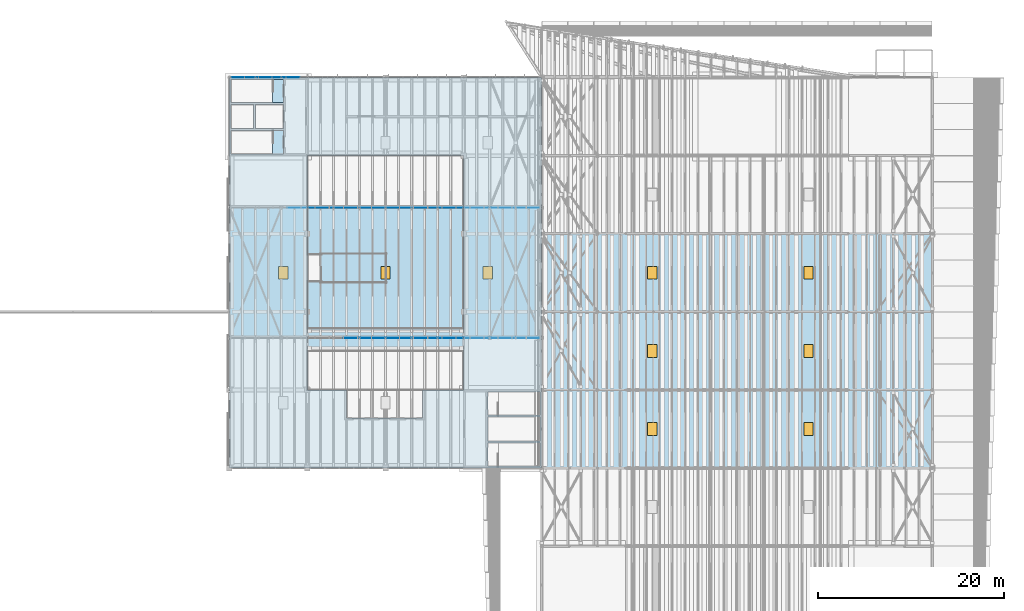
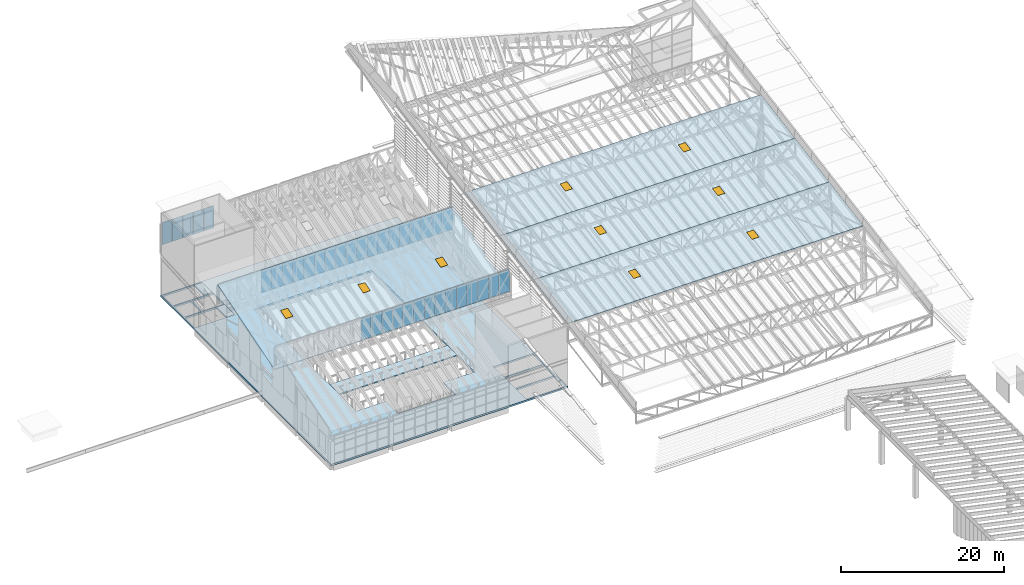
# One storey, part 60 of 91: 37 plates, 9 windows, 8 slabs, 9 openings, 3 elements without a shape of their own.
"""IFC4 building model written with IfcOpenShell, lengths in metres."""

from ifc_helpers import new_model, si_unit, direction, frame, origin, origin_2d, place, context, subcontext, project, spatial, polyline, rectangle, outline, extrude, material, layer, layer_set, type_object, element, fill, aggregate, save


model = new_model("IFC4")

# Units and contexts
model_context = context("Model", 3, precision=1e-05, world=origin(), true_north=direction((0.0, 1.0)))
body_context = subcontext(model_context, "Body", "Model", "MODEL_VIEW")
ifc_project = project(units=[si_unit("LENGTHUNIT", "METRE"), si_unit("AREAUNIT", "SQUARE_METRE"), si_unit("VOLUMEUNIT", "CUBIC_METRE"), si_unit("PLANEANGLEUNIT", "RADIAN"), si_unit("MASSUNIT", "GRAM", prefix="KILO")], contexts=[model_context])

# Site, building, storey
site_placement = place(None, origin())
site = spatial("IfcSite", under=ifc_project, at=site_placement, CompositionType="ELEMENT")
building_placement = place(site_placement, origin())
building = spatial("IfcBuilding", under=site, at=building_placement, Name="Almond Square Museum", CompositionType="ELEMENT")
storey_placement = place(building_placement, frame((0.0, 0.0, 30.0)))
storey = spatial("IfcBuildingStorey", under=building, at=storey_placement, Name="L05", CompositionType="ELEMENT", Elevation=30.0)

# Slabs
ifc_material_1 = material(Name="Concrete C35/45", Category="concrete")
ifc_layer_1 = layer(ifc_material_1, 0.14990234375)
ifc_layer_set_1 = layer_set([ifc_layer_1], Name="Concrete C35/45")
slab_type_1 = type_object("IfcSlabType", Name="Bridge deck slab 150", PredefinedType="FLOOR", material=ifc_layer_set_1)
slab_1_placement = place(storey_placement, frame((0.0, 0.0, -0.14990234375)))
element("IfcSlab", 1, at=slab_1_placement, inside=storey, type_object=slab_type_1, Name="Bridge 7 deck", PredefinedType="FLOOR", context=body_context, shape_type="SweptSolid", body=[
    extrude(outline(polyline([(81.60009765625, 79.800048828125), (98.39990234375, 79.800048828125), (98.39990234375, 82.199951171875), (81.60009765625, 82.199951171875), (81.60009765625, 79.800048828125)])), origin(), (0.0, 0.0, 1.0), 0.14990234375),
])
ifc_material_2 = material(Name="Concrete C40/50", Category="concrete")
ifc_layer_2 = layer(ifc_material_2, 0.199951171875)
ifc_layer_set_2 = layer_set([ifc_layer_2], Name="Concrete C40/50")
slab_type_2 = type_object("IfcSlabType", Name="Concrete stair landing 200", PredefinedType="LANDING", material=ifc_layer_set_2)
slab_2_placement = place(storey_placement, frame((0.0, 0.0, -0.199951171875)))
element("IfcSlab", 2, at=slab_2_placement, inside=storey, type_object=slab_type_2, Name="L05 stair A1-1 floor landing", PredefinedType="LANDING", context=body_context, shape_type="SweptSolid", body=[
    extrude(outline(polyline([(77.846923828125, 101.0), (79.0, 101.0), (79.0, 103.5), (77.846923828125, 103.5), (77.846923828125, 101.0)])), origin(), (0.0, 0.0, 1.0), 0.199951171875),
])
slab_3_placement = place(storey_placement, frame((0.0, 0.0, -0.199951171875)))
element("IfcSlab", 3, at=slab_3_placement, inside=storey, type_object=slab_type_2, Name="L05 stair A1-2 floor landing", PredefinedType="LANDING", context=body_context, shape_type="SweptSolid", body=[
    extrude(outline(polyline([(77.846923828125, 106.5), (79.0, 106.5), (79.0, 109.0), (77.846923828125, 109.0), (77.846923828125, 106.5)])), origin(), (0.0, 0.0, 1.0), 0.199951171875),
])

# Slab, openings, windows
ifc_material_3 = material(Name="Insulated aluminium roof deck", Category="aluminium")
ifc_layer_3 = layer(ifc_material_3, 0.10009765625)
ifc_layer_set_3 = layer_set([ifc_layer_3], Name="Insulated aluminium roof deck")
slab_type_3 = type_object("IfcSlabType", Name="Insulated metal deck roof 100", PredefinedType="ROOF", material=ifc_layer_set_3)
slab_4_placement = place(storey_placement, frame((73.199951171875, 81.199951171875, 5.800048828125), z_axis=(0.0, -0.292374446903, 0.95630391759), x_axis=(1.0, 0.0, 0.0)))
slab_4 = element("IfcSlab", 4, at=slab_4_placement, inside=storey, type_object=slab_type_3, Name="Roof covering AR2", PredefinedType="ROOF", context=body_context, shape_type="SweptSolid", body=[
    extrude(outline(polyline([(0.0, 0.0), (33.60009765625, 0.0), (33.60009765625, 14.639697425144005), (0.0, 14.639697425144005), (0.0, 0.0)])), origin(), (0.0, 0.0, -1.0), 0.10009765625),
])
opening_1_placement = place(slab_4_placement, frame((5.800048828125, 7.31982421875, 0.010009765625), z_axis=(0.0, 0.0, -1.0), x_axis=(1.0, 0.0, 0.0)))
opening_1 = element("IfcOpeningElement", 5, at=opening_1_placement, cuts=slab_4, Name="Opening RL13", PredefinedType="OPENING", context=body_context, shape_type="SweptSolid", body=[
    extrude(rectangle(XDim=1.0, YDim=1.39990234375, at=origin_2d()), origin(), (0.0, 0.0, 1.0), 0.1201171875),
])
opening_2_placement = place(slab_4_placement, frame((16.800048828125, 7.31982421875, 0.010009765625), z_axis=(0.0, 0.0, -1.0), x_axis=(1.0, 0.0, 0.0)))
opening_2 = element("IfcOpeningElement", 6, at=opening_2_placement, cuts=slab_4, Name="Opening RL14", PredefinedType="OPENING", context=body_context, shape_type="SweptSolid", body=[
    extrude(rectangle(XDim=1.0, YDim=1.39990234375, at=origin_2d()), origin(), (0.0, 0.0, 1.0), 0.1201171875),
])
opening_3_placement = place(slab_4_placement, frame((27.800048828125, 7.31982421875, 0.010009765625), z_axis=(0.0, 0.0, -1.0), x_axis=(1.0, 0.0, 0.0)))
opening_3 = element("IfcOpeningElement", 7, at=opening_3_placement, cuts=slab_4, Name="Opening RL15", PredefinedType="OPENING", context=body_context, shape_type="SweptSolid", body=[
    extrude(rectangle(XDim=1.0, YDim=1.39990234375, at=origin_2d()), origin(), (0.0, 0.0, 1.0), 0.1201171875),
])
ifc_material_4 = material(Name="Aluminium frame and laminated glass", Category="aluminium")
window_type = type_object("IfcWindowType", Name="Rooflight 1000 x 1400", PartitioningType="SINGLE_PANEL", PredefinedType="SKYLIGHT", material=ifc_material_4)
window_1_placement = place(opening_1_placement, frame((0.0, 0.0, 0.010009765625)))
window_1 = element("IfcWindow", 8, at=window_1_placement, inside=storey, type_object=window_type, Name="Rooflight", OverallHeight=1.39990234375, OverallWidth=1.0, PartitioningType="SINGLE_PANEL", PredefinedType="SKYLIGHT", context=body_context, shape_type="SweptSolid", body=[
    extrude(rectangle(XDim=1.0, YDim=1.39990234375, at=origin_2d()), origin(), (0.0, 0.0, 1.0), 0.050048828125),
])
fill(opening_1, window_1)
window_2_placement = place(opening_2_placement, frame((0.0, 0.0, 0.010009765625)))
window_2 = element("IfcWindow", 9, at=window_2_placement, inside=storey, type_object=window_type, Name="Rooflight", OverallHeight=1.39990234375, OverallWidth=1.0, PartitioningType="SINGLE_PANEL", PredefinedType="SKYLIGHT", context=body_context, shape_type="SweptSolid", body=[
    extrude(rectangle(XDim=1.0, YDim=1.39990234375, at=origin_2d()), origin(), (0.0, 0.0, 1.0), 0.050048828125),
])
fill(opening_2, window_2)
window_3_placement = place(opening_3_placement, frame((0.0, 0.0, 0.010009765625)))
window_3 = element("IfcWindow", 10, at=window_3_placement, inside=storey, type_object=window_type, Name="Rooflight", OverallHeight=1.39990234375, OverallWidth=1.0, PartitioningType="SINGLE_PANEL", PredefinedType="SKYLIGHT", context=body_context, shape_type="SweptSolid", body=[
    extrude(rectangle(XDim=1.0, YDim=1.39990234375, at=origin_2d()), origin(), (0.0, 0.0, 1.0), 0.050048828125),
])
fill(opening_3, window_3)

# Curtain wall, plates
ifc_material_5 = material(Name="Aluminium and laminated glass", Category="aluminium")
curtain_wall_type = type_object("IfcCurtainWallType", Name="Unitised curtain wall 1500 module", PredefinedType="NOTDEFINED", material=ifc_material_5)
curtain_wall_1_placement = place(storey_placement, origin())
curtain_wall_1 = element("IfcCurtainWall", 11, at=curtain_wall_1_placement, inside=storey, type_object=curtain_wall_type, Name="Rooflight glazing AG1", PredefinedType="NOTDEFINED")
ifc_material_6 = material(Name="Laminated hurricane-rated glass", Category="glass")
ifc_layer_4 = layer(ifc_material_6, 0.035888671875)
ifc_layer_set_4 = layer_set([ifc_layer_4], Name="Laminated hurricane-rated glass")
plate_type = type_object("IfcPlateType", Name="Laminated glass panel 36", PredefinedType="CURTAIN_PANEL", material=ifc_layer_set_4)
plate_1_placement = place(storey_placement, frame((86.2158203125, 81.199951171875, 5.85986328125), z_axis=(0.0, 0.0, 1.0), x_axis=(1.0, 0.0, 0.0)))
plate_1 = element("IfcPlate", 12, at=plate_1_placement, type_object=plate_type, Name="CW-56 panel 9.1", PredefinedType="CURTAIN_PANEL", context=body_context, shape_type="SweptSolid", body=[
    extrude(rectangle(XDim=1.45361328125, YDim=0.035888671875, at=origin_2d()), origin(), (0.0, 0.0, 1.0), 3.3603515625),
])
plate_2_placement = place(storey_placement, frame((87.7294921875, 81.199951171875, 5.85986328125), z_axis=(0.0, 0.0, 1.0), x_axis=(1.0, 0.0, 0.0)))
plate_2 = element("IfcPlate", 13, at=plate_2_placement, type_object=plate_type, Name="CW-56 panel 10.1", PredefinedType="CURTAIN_PANEL", context=body_context, shape_type="SweptSolid", body=[
    extrude(rectangle(XDim=1.45361328125, YDim=0.035888671875, at=origin_2d()), origin(), (0.0, 0.0, 1.0), 3.3603515625),
])
plate_3_placement = place(storey_placement, frame((89.2431640625, 81.199951171875, 5.85986328125), z_axis=(0.0, 0.0, 1.0), x_axis=(1.0, 0.0, 0.0)))
plate_3 = element("IfcPlate", 14, at=plate_3_placement, type_object=plate_type, Name="CW-56 panel 11.1", PredefinedType="CURTAIN_PANEL", context=body_context, shape_type="SweptSolid", body=[
    extrude(rectangle(XDim=1.45361328125, YDim=0.035888671875, at=origin_2d()), origin(), (0.0, 0.0, 1.0), 3.3603515625),
])
plate_4_placement = place(storey_placement, frame((90.7568359375, 81.199951171875, 5.85986328125), z_axis=(0.0, 0.0, 1.0), x_axis=(1.0, 0.0, 0.0)))
plate_4 = element("IfcPlate", 15, at=plate_4_placement, type_object=plate_type, Name="CW-56 panel 12.1", PredefinedType="CURTAIN_PANEL", context=body_context, shape_type="SweptSolid", body=[
    extrude(rectangle(XDim=1.45361328125, YDim=0.035888671875, at=origin_2d()), origin(), (0.0, 0.0, 1.0), 3.3603515625),
])
plate_5_placement = place(storey_placement, frame((92.2705078125, 81.199951171875, 5.85986328125), z_axis=(0.0, 0.0, 1.0), x_axis=(1.0, 0.0, 0.0)))
plate_5 = element("IfcPlate", 16, at=plate_5_placement, type_object=plate_type, Name="CW-56 panel 13.1", PredefinedType="CURTAIN_PANEL", context=body_context, shape_type="SweptSolid", body=[
    extrude(rectangle(XDim=1.45361328125, YDim=0.035888671875, at=origin_2d()), origin(), (0.0, 0.0, 1.0), 3.3603515625),
])
plate_6_placement = place(storey_placement, frame((93.7841796875, 81.199951171875, 5.85986328125), z_axis=(0.0, 0.0, 1.0), x_axis=(1.0, 0.0, 0.0)))
plate_6 = element("IfcPlate", 17, at=plate_6_placement, type_object=plate_type, Name="CW-56 panel 14.1", PredefinedType="CURTAIN_PANEL", context=body_context, shape_type="SweptSolid", body=[
    extrude(rectangle(XDim=1.45361328125, YDim=0.035888671875, at=origin_2d()), origin(), (0.0, 0.0, 1.0), 3.3603515625),
])
plate_7_placement = place(storey_placement, frame((95.297607421875, 81.199951171875, 5.85986328125), z_axis=(0.0, 0.0, 1.0), x_axis=(1.0, 0.0, 0.0)))
plate_7 = element("IfcPlate", 18, at=plate_7_placement, type_object=plate_type, Name="CW-56 panel 15.1", PredefinedType="CURTAIN_PANEL", context=body_context, shape_type="SweptSolid", body=[
    extrude(rectangle(XDim=1.45361328125, YDim=0.035888671875, at=origin_2d()), origin(), (0.0, 0.0, 1.0), 3.3603515625),
])
plate_8_placement = place(storey_placement, frame((96.811279296875, 81.199951171875, 5.85986328125), z_axis=(0.0, 0.0, 1.0), x_axis=(1.0, 0.0, 0.0)))
plate_8 = element("IfcPlate", 19, at=plate_8_placement, type_object=plate_type, Name="CW-56 panel 16.1", PredefinedType="CURTAIN_PANEL", context=body_context, shape_type="SweptSolid", body=[
    extrude(rectangle(XDim=1.45361328125, YDim=0.035888671875, at=origin_2d()), origin(), (0.0, 0.0, 1.0), 3.3603515625),
])
plate_9_placement = place(storey_placement, frame((98.324951171875, 81.199951171875, 5.85986328125), z_axis=(0.0, 0.0, 1.0), x_axis=(1.0, 0.0, 0.0)))
plate_9 = element("IfcPlate", 20, at=plate_9_placement, type_object=plate_type, Name="CW-56 panel 17.1", PredefinedType="CURTAIN_PANEL", context=body_context, shape_type="SweptSolid", body=[
    extrude(rectangle(XDim=1.45361328125, YDim=0.035888671875, at=origin_2d()), origin(), (0.0, 0.0, 1.0), 3.3603515625),
])
plate_10_placement = place(storey_placement, frame((99.838623046875, 81.199951171875, 5.85986328125), z_axis=(0.0, 0.0, 1.0), x_axis=(1.0, 0.0, 0.0)))
plate_10 = element("IfcPlate", 21, at=plate_10_placement, type_object=plate_type, Name="CW-56 panel 18.1", PredefinedType="CURTAIN_PANEL", context=body_context, shape_type="SweptSolid", body=[
    extrude(rectangle(XDim=1.45361328125, YDim=0.035888671875, at=origin_2d()), origin(), (0.0, 0.0, 1.0), 3.3603515625),
])
plate_11_placement = place(storey_placement, frame((101.352294921875, 81.199951171875, 5.85986328125), z_axis=(0.0, 0.0, 1.0), x_axis=(1.0, 0.0, 0.0)))
plate_11 = element("IfcPlate", 22, at=plate_11_placement, type_object=plate_type, Name="CW-56 panel 19.1", PredefinedType="CURTAIN_PANEL", context=body_context, shape_type="SweptSolid", body=[
    extrude(rectangle(XDim=1.45361328125, YDim=0.035888671875, at=origin_2d()), origin(), (0.0, 0.0, 1.0), 3.3603515625),
])
plate_12_placement = place(storey_placement, frame((102.865966796875, 81.199951171875, 5.85986328125), z_axis=(0.0, 0.0, 1.0), x_axis=(1.0, 0.0, 0.0)))
plate_12 = element("IfcPlate", 23, at=plate_12_placement, type_object=plate_type, Name="CW-56 panel 20.1", PredefinedType="CURTAIN_PANEL", context=body_context, shape_type="SweptSolid", body=[
    extrude(rectangle(XDim=1.45361328125, YDim=0.035888671875, at=origin_2d()), origin(), (0.0, 0.0, 1.0), 3.3603515625),
])
plate_13_placement = place(storey_placement, frame((104.379638671875, 81.199951171875, 5.85986328125), z_axis=(0.0, 0.0, 1.0), x_axis=(1.0, 0.0, 0.0)))
plate_13 = element("IfcPlate", 24, at=plate_13_placement, type_object=plate_type, Name="CW-56 panel 21.1", PredefinedType="CURTAIN_PANEL", context=body_context, shape_type="SweptSolid", body=[
    extrude(rectangle(XDim=1.45361328125, YDim=0.035888671875, at=origin_2d()), origin(), (0.0, 0.0, 1.0), 3.3603515625),
])
plate_14_placement = place(storey_placement, frame((105.878173828125, 81.199951171875, 5.85986328125), z_axis=(0.0, 0.0, 1.0), x_axis=(1.0, 0.0, 0.0)))
plate_14 = element("IfcPlate", 25, at=plate_14_placement, type_object=plate_type, Name="CW-56 panel 22.1", PredefinedType="CURTAIN_PANEL", context=body_context, shape_type="SweptSolid", body=[
    extrude(rectangle(XDim=1.423583984375, YDim=0.035888671875, at=origin_2d()), origin(), (0.0, 0.0, 1.0), 3.3603515625),
])
aggregate(curtain_wall_1, [plate_1, plate_2, plate_3, plate_4, plate_5, plate_6, plate_7, plate_8, plate_9, plate_10, plate_11, plate_12, plate_13, plate_14])

curtain_wall_2_placement = place(storey_placement, origin())
curtain_wall_2 = element("IfcCurtainWall", 26, at=curtain_wall_2_placement, inside=storey, type_object=curtain_wall_type, Name="Rooflight glazing AG2", PredefinedType="NOTDEFINED")
plate_15_placement = place(storey_placement, frame((80.161376953125, 95.199951171875, 6.659912109375), z_axis=(0.0, 0.0, 1.0), x_axis=(1.0, 0.0, 0.0)))
plate_15 = element("IfcPlate", 27, at=plate_15_placement, type_object=plate_type, Name="CW-57 panel 5.1", PredefinedType="CURTAIN_PANEL", context=body_context, shape_type="SweptSolid", body=[
    extrude(rectangle(XDim=1.45361328125, YDim=0.035888671875, at=origin_2d()), origin(), (0.0, 0.0, 1.0), 3.3603515625),
])
plate_16_placement = place(storey_placement, frame((81.675048828125, 95.199951171875, 6.659912109375), z_axis=(0.0, 0.0, 1.0), x_axis=(1.0, 0.0, 0.0)))
plate_16 = element("IfcPlate", 28, at=plate_16_placement, type_object=plate_type, Name="CW-57 panel 6.1", PredefinedType="CURTAIN_PANEL", context=body_context, shape_type="SweptSolid", body=[
    extrude(rectangle(XDim=1.45361328125, YDim=0.035888671875, at=origin_2d()), origin(), (0.0, 0.0, 1.0), 3.3603515625),
])
plate_17_placement = place(storey_placement, frame((83.188720703125, 95.199951171875, 6.659912109375), z_axis=(0.0, 0.0, 1.0), x_axis=(1.0, 0.0, 0.0)))
plate_17 = element("IfcPlate", 29, at=plate_17_placement, type_object=plate_type, Name="CW-57 panel 7.1", PredefinedType="CURTAIN_PANEL", context=body_context, shape_type="SweptSolid", body=[
    extrude(rectangle(XDim=1.45361328125, YDim=0.035888671875, at=origin_2d()), origin(), (0.0, 0.0, 1.0), 3.3603515625),
])
plate_18_placement = place(storey_placement, frame((84.702392578125, 95.199951171875, 6.659912109375), z_axis=(0.0, 0.0, 1.0), x_axis=(1.0, 0.0, 0.0)))
plate_18 = element("IfcPlate", 30, at=plate_18_placement, type_object=plate_type, Name="CW-57 panel 8.1", PredefinedType="CURTAIN_PANEL", context=body_context, shape_type="SweptSolid", body=[
    extrude(rectangle(XDim=1.45361328125, YDim=0.035888671875, at=origin_2d()), origin(), (0.0, 0.0, 1.0), 3.3603515625),
])
plate_19_placement = place(storey_placement, frame((86.2158203125, 95.199951171875, 6.659912109375), z_axis=(0.0, 0.0, 1.0), x_axis=(1.0, 0.0, 0.0)))
plate_19 = element("IfcPlate", 31, at=plate_19_placement, type_object=plate_type, Name="CW-57 panel 9.1", PredefinedType="CURTAIN_PANEL", context=body_context, shape_type="SweptSolid", body=[
    extrude(rectangle(XDim=1.45361328125, YDim=0.035888671875, at=origin_2d()), origin(), (0.0, 0.0, 1.0), 3.3603515625),
])
plate_20_placement = place(storey_placement, frame((87.7294921875, 95.199951171875, 6.659912109375), z_axis=(0.0, 0.0, 1.0), x_axis=(1.0, 0.0, 0.0)))
plate_20 = element("IfcPlate", 32, at=plate_20_placement, type_object=plate_type, Name="CW-57 panel 10.1", PredefinedType="CURTAIN_PANEL", context=body_context, shape_type="SweptSolid", body=[
    extrude(rectangle(XDim=1.45361328125, YDim=0.035888671875, at=origin_2d()), origin(), (0.0, 0.0, 1.0), 3.3603515625),
])
plate_21_placement = place(storey_placement, frame((89.2431640625, 95.199951171875, 6.659912109375), z_axis=(0.0, 0.0, 1.0), x_axis=(1.0, 0.0, 0.0)))
plate_21 = element("IfcPlate", 33, at=plate_21_placement, type_object=plate_type, Name="CW-57 panel 11.1", PredefinedType="CURTAIN_PANEL", context=body_context, shape_type="SweptSolid", body=[
    extrude(rectangle(XDim=1.45361328125, YDim=0.035888671875, at=origin_2d()), origin(), (0.0, 0.0, 1.0), 3.3603515625),
])
plate_22_placement = place(storey_placement, frame((90.7568359375, 95.199951171875, 6.659912109375), z_axis=(0.0, 0.0, 1.0), x_axis=(1.0, 0.0, 0.0)))
plate_22 = element("IfcPlate", 34, at=plate_22_placement, type_object=plate_type, Name="CW-57 panel 12.1", PredefinedType="CURTAIN_PANEL", context=body_context, shape_type="SweptSolid", body=[
    extrude(rectangle(XDim=1.45361328125, YDim=0.035888671875, at=origin_2d()), origin(), (0.0, 0.0, 1.0), 3.3603515625),
])
plate_23_placement = place(storey_placement, frame((92.2705078125, 95.199951171875, 6.659912109375), z_axis=(0.0, 0.0, 1.0), x_axis=(1.0, 0.0, 0.0)))
plate_23 = element("IfcPlate", 35, at=plate_23_placement, type_object=plate_type, Name="CW-57 panel 13.1", PredefinedType="CURTAIN_PANEL", context=body_context, shape_type="SweptSolid", body=[
    extrude(rectangle(XDim=1.45361328125, YDim=0.035888671875, at=origin_2d()), origin(), (0.0, 0.0, 1.0), 3.3603515625),
])
plate_24_placement = place(storey_placement, frame((93.7841796875, 95.199951171875, 6.659912109375), z_axis=(0.0, 0.0, 1.0), x_axis=(1.0, 0.0, 0.0)))
plate_24 = element("IfcPlate", 36, at=plate_24_placement, type_object=plate_type, Name="CW-57 panel 14.1", PredefinedType="CURTAIN_PANEL", context=body_context, shape_type="SweptSolid", body=[
    extrude(rectangle(XDim=1.45361328125, YDim=0.035888671875, at=origin_2d()), origin(), (0.0, 0.0, 1.0), 3.3603515625),
])
plate_25_placement = place(storey_placement, frame((95.297607421875, 95.199951171875, 6.659912109375), z_axis=(0.0, 0.0, 1.0), x_axis=(1.0, 0.0, 0.0)))
plate_25 = element("IfcPlate", 37, at=plate_25_placement, type_object=plate_type, Name="CW-57 panel 15.1", PredefinedType="CURTAIN_PANEL", context=body_context, shape_type="SweptSolid", body=[
    extrude(rectangle(XDim=1.45361328125, YDim=0.035888671875, at=origin_2d()), origin(), (0.0, 0.0, 1.0), 3.3603515625),
])
plate_26_placement = place(storey_placement, frame((96.811279296875, 95.199951171875, 6.659912109375), z_axis=(0.0, 0.0, 1.0), x_axis=(1.0, 0.0, 0.0)))
plate_26 = element("IfcPlate", 38, at=plate_26_placement, type_object=plate_type, Name="CW-57 panel 16.1", PredefinedType="CURTAIN_PANEL", context=body_context, shape_type="SweptSolid", body=[
    extrude(rectangle(XDim=1.45361328125, YDim=0.035888671875, at=origin_2d()), origin(), (0.0, 0.0, 1.0), 3.3603515625),
])
plate_27_placement = place(storey_placement, frame((98.324951171875, 95.199951171875, 6.659912109375), z_axis=(0.0, 0.0, 1.0), x_axis=(1.0, 0.0, 0.0)))
plate_27 = element("IfcPlate", 39, at=plate_27_placement, type_object=plate_type, Name="CW-57 panel 17.1", PredefinedType="CURTAIN_PANEL", context=body_context, shape_type="SweptSolid", body=[
    extrude(rectangle(XDim=1.45361328125, YDim=0.035888671875, at=origin_2d()), origin(), (0.0, 0.0, 1.0), 3.3603515625),
])
plate_28_placement = place(storey_placement, frame((99.838623046875, 95.199951171875, 6.659912109375), z_axis=(0.0, 0.0, 1.0), x_axis=(1.0, 0.0, 0.0)))
plate_28 = element("IfcPlate", 40, at=plate_28_placement, type_object=plate_type, Name="CW-57 panel 18.1", PredefinedType="CURTAIN_PANEL", context=body_context, shape_type="SweptSolid", body=[
    extrude(rectangle(XDim=1.45361328125, YDim=0.035888671875, at=origin_2d()), origin(), (0.0, 0.0, 1.0), 3.3603515625),
])
plate_29_placement = place(storey_placement, frame((101.352294921875, 95.199951171875, 6.659912109375), z_axis=(0.0, 0.0, 1.0), x_axis=(1.0, 0.0, 0.0)))
plate_29 = element("IfcPlate", 41, at=plate_29_placement, type_object=plate_type, Name="CW-57 panel 19.1", PredefinedType="CURTAIN_PANEL", context=body_context, shape_type="SweptSolid", body=[
    extrude(rectangle(XDim=1.45361328125, YDim=0.035888671875, at=origin_2d()), origin(), (0.0, 0.0, 1.0), 3.3603515625),
])
plate_30_placement = place(storey_placement, frame((102.865966796875, 95.199951171875, 6.659912109375), z_axis=(0.0, 0.0, 1.0), x_axis=(1.0, 0.0, 0.0)))
plate_30 = element("IfcPlate", 42, at=plate_30_placement, type_object=plate_type, Name="CW-57 panel 20.1", PredefinedType="CURTAIN_PANEL", context=body_context, shape_type="SweptSolid", body=[
    extrude(rectangle(XDim=1.45361328125, YDim=0.035888671875, at=origin_2d()), origin(), (0.0, 0.0, 1.0), 3.3603515625),
])
plate_31_placement = place(storey_placement, frame((104.379638671875, 95.199951171875, 6.659912109375), z_axis=(0.0, 0.0, 1.0), x_axis=(1.0, 0.0, 0.0)))
plate_31 = element("IfcPlate", 43, at=plate_31_placement, type_object=plate_type, Name="CW-57 panel 21.1", PredefinedType="CURTAIN_PANEL", context=body_context, shape_type="SweptSolid", body=[
    extrude(rectangle(XDim=1.45361328125, YDim=0.035888671875, at=origin_2d()), origin(), (0.0, 0.0, 1.0), 3.3603515625),
])
plate_32_placement = place(storey_placement, frame((105.878173828125, 95.199951171875, 6.659912109375), z_axis=(0.0, 0.0, 1.0), x_axis=(1.0, 0.0, 0.0)))
plate_32 = element("IfcPlate", 44, at=plate_32_placement, type_object=plate_type, Name="CW-57 panel 22.1", PredefinedType="CURTAIN_PANEL", context=body_context, shape_type="SweptSolid", body=[
    extrude(rectangle(XDim=1.423583984375, YDim=0.035888671875, at=origin_2d()), origin(), (0.0, 0.0, 1.0), 3.3603515625),
])
aggregate(curtain_wall_2, [plate_15, plate_16, plate_17, plate_18, plate_19, plate_20, plate_21, plate_22, plate_23, plate_24, plate_25, plate_26, plate_27, plate_28, plate_29, plate_30, plate_31, plate_32])

curtain_wall_3_placement = place(storey_placement, origin())
curtain_wall_3 = element("IfcCurtainWall", 45, at=curtain_wall_3_placement, inside=storey, type_object=curtain_wall_type, Name="Rooflight glazing AG3", PredefinedType="NOTDEFINED")
plate_33_placement = place(storey_placement, frame((74.108154296875, 109.199951171875, 7.4599609375), z_axis=(0.0, 0.0, 1.0), x_axis=(1.0, 0.0, 0.0)))
plate_33 = element("IfcPlate", 46, at=plate_33_placement, type_object=plate_type, Name="CW-58 panel 1.1", PredefinedType="CURTAIN_PANEL", context=body_context, shape_type="SweptSolid", body=[
    extrude(rectangle(XDim=1.396484375, YDim=0.035888671875, at=origin_2d()), origin(), (0.0, 0.0, 1.0), 3.3603515625),
])
plate_34_placement = place(storey_placement, frame((75.57958984375, 109.199951171875, 7.4599609375), z_axis=(0.0, 0.0, 1.0), x_axis=(1.0, 0.0, 0.0)))
plate_34 = element("IfcPlate", 47, at=plate_34_placement, type_object=plate_type, Name="CW-58 panel 2.1", PredefinedType="CURTAIN_PANEL", context=body_context, shape_type="SweptSolid", body=[
    extrude(rectangle(XDim=1.42626953125, YDim=0.035888671875, at=origin_2d()), origin(), (0.0, 0.0, 1.0), 3.3603515625),
])
plate_35_placement = place(storey_placement, frame((77.06591796875, 109.199951171875, 7.4599609375), z_axis=(0.0, 0.0, 1.0), x_axis=(1.0, 0.0, 0.0)))
plate_35 = element("IfcPlate", 48, at=plate_35_placement, type_object=plate_type, Name="CW-58 panel 3.1", PredefinedType="CURTAIN_PANEL", context=body_context, shape_type="SweptSolid", body=[
    extrude(rectangle(XDim=1.42626953125, YDim=0.035888671875, at=origin_2d()), origin(), (0.0, 0.0, 1.0), 3.3603515625),
])
plate_36_placement = place(storey_placement, frame((78.55224609375, 109.199951171875, 7.4599609375), z_axis=(0.0, 0.0, 1.0), x_axis=(1.0, 0.0, 0.0)))
plate_36 = element("IfcPlate", 49, at=plate_36_placement, type_object=plate_type, Name="CW-58 panel 4.1", PredefinedType="CURTAIN_PANEL", context=body_context, shape_type="SweptSolid", body=[
    extrude(rectangle(XDim=1.42626953125, YDim=0.035888671875, at=origin_2d()), origin(), (0.0, 0.0, 1.0), 3.3603515625),
])
plate_37_placement = place(storey_placement, frame((80.03857421875, 109.199951171875, 7.4599609375), z_axis=(0.0, 0.0, 1.0), x_axis=(1.0, 0.0, 0.0)))
plate_37 = element("IfcPlate", 50, at=plate_37_placement, type_object=plate_type, Name="CW-58 panel 5.1", PredefinedType="CURTAIN_PANEL", context=body_context, shape_type="SweptSolid", body=[
    extrude(rectangle(XDim=1.42626953125, YDim=0.035888671875, at=origin_2d()), origin(), (0.0, 0.0, 1.0), 3.3603515625),
])
aggregate(curtain_wall_3, [plate_33, plate_34, plate_35, plate_36, plate_37])

# Slab
ifc_material_7 = material(Name="Concrete C40/50", Category="concrete")
ifc_layer_5 = layer(ifc_material_7, 0.25)
ifc_layer_set_5 = layer_set([ifc_layer_5], Name="Concrete C40/50")
slab_type_4 = type_object("IfcSlabType", Name="RC floor slab 250 C40/50", PredefinedType="FLOOR", material=ifc_layer_set_5)
slab_5_placement = place(storey_placement, frame((0.0, 0.0, -0.25)))
element("IfcSlab", 51, at=slab_5_placement, inside=storey, type_object=slab_type_4, Name="Floor slab L05 V2", PredefinedType="FLOOR", context=body_context, shape_type="SweptSolid", body=[
    extrude(outline(polyline([(73.199951171875, 109.199951171875), (106.800048828125, 109.199951171875), (106.800048828125, 67.199951171875), (73.199951171875, 67.199951171875), (73.199951171875, 109.199951171875)]), holes=[polyline([(98.39990234375, 100.800048828125), (81.60009765625, 100.800048828125), (81.60009765625, 75.60009765625), (85.800048828125, 75.60009765625), (85.800048828125, 72.60009765625), (94.0, 72.60009765625), (94.0, 75.60009765625), (98.39990234375, 75.60009765625), (98.39990234375, 100.800048828125)]), polyline([(101.0, 69.89990234375), (101.0, 67.39990234375), (106.60009765625, 67.39990234375), (106.60009765625, 69.89990234375), (101.0, 69.89990234375)]), polyline([(101.0, 72.699951171875), (101.0, 70.10009765625), (106.60009765625, 70.10009765625), (106.60009765625, 72.699951171875), (101.0, 72.699951171875)]), polyline([(101.0, 75.39990234375), (101.0, 72.89990234375), (106.60009765625, 72.89990234375), (106.60009765625, 75.39990234375), (101.0, 75.39990234375)]), polyline([(73.39990234375, 103.5), (73.39990234375, 101.0), (79.0, 101.0), (79.0, 103.5), (73.39990234375, 103.5)]), polyline([(73.39990234375, 106.300048828125), (73.39990234375, 103.699951171875), (75.800048828125, 103.699951171875), (75.800048828125, 106.300048828125), (73.39990234375, 106.300048828125)]), polyline([(76.0, 106.300048828125), (76.0, 103.699951171875), (79.0, 103.699951171875), (79.0, 106.300048828125), (76.0, 106.300048828125)]), polyline([(73.39990234375, 109.0), (73.39990234375, 106.5), (79.0, 106.5), (79.0, 109.0), (73.39990234375, 109.0)])]), origin(), (0.0, 0.0, 1.0), 0.25),
])

# Slab, openings, windows
ifc_material_8 = material(Name="Timber deck and zinc standing seam", Category="wood")
ifc_layer_6 = layer(ifc_material_8, 0.10009765625)
ifc_layer_set_6 = layer_set([ifc_layer_6], Name="Timber deck and zinc standing seam")
slab_type_5 = type_object("IfcSlabType", Name="Timber deck and zinc standing seam roof 100", PredefinedType="ROOF", material=ifc_layer_set_6)
slab_6_placement = place(storey_placement, frame((106.800048828125, 67.199951171875, 9.43994140625), z_axis=(0.0, -0.172374081674, 0.985031560899), x_axis=(1.0, 0.0, 0.0)))
slab_6 = element("IfcSlab", 52, at=slab_6_placement, inside=storey, type_object=slab_type_5, Name="Roof covering HR3", PredefinedType="ROOF", context=body_context, shape_type="SweptSolid", body=[
    extrude(outline(polyline([(0.0, 0.0), (42.0, 0.0), (42.0, 8.52779425332269), (0.0, 8.52779425332269), (0.0, 0.0)])), origin(), (0.0, 0.0, -1.0), 0.10009765625),
])
opening_4_placement = place(slab_6_placement, frame((11.89990234375, 4.263671875, 0.010009765625), z_axis=(0.0, 0.0, -1.0), x_axis=(1.0, 0.0, 0.0)))
opening_4 = element("IfcOpeningElement", 53, at=opening_4_placement, cuts=slab_6, Name="Opening RL03", PredefinedType="OPENING", context=body_context, shape_type="SweptSolid", body=[
    extrude(rectangle(XDim=1.0, YDim=1.39990234375, at=origin_2d()), origin(), (0.0, 0.0, 1.0), 0.1201171875),
])
opening_5_placement = place(slab_6_placement, frame((28.699951171875, 4.263671875, 0.010009765625), z_axis=(0.0, 0.0, -1.0), x_axis=(1.0, 0.0, 0.0)))
opening_5 = element("IfcOpeningElement", 54, at=opening_5_placement, cuts=slab_6, Name="Opening RL04", PredefinedType="OPENING", context=body_context, shape_type="SweptSolid", body=[
    extrude(rectangle(XDim=1.0, YDim=1.39990234375, at=origin_2d()), origin(), (0.0, 0.0, 1.0), 0.1201171875),
])
window_4_placement = place(opening_4_placement, frame((0.0, 0.0, 0.010009765625)))
window_4 = element("IfcWindow", 55, at=window_4_placement, inside=storey, type_object=window_type, Name="Rooflight", OverallHeight=1.39990234375, OverallWidth=1.0, PartitioningType="SINGLE_PANEL", PredefinedType="SKYLIGHT", context=body_context, shape_type="SweptSolid", body=[
    extrude(rectangle(XDim=1.0, YDim=1.39990234375, at=origin_2d()), origin(), (0.0, 0.0, 1.0), 0.050048828125),
])
fill(opening_4, window_4)
window_5_placement = place(opening_5_placement, frame((0.0, 0.0, 0.010009765625)))
window_5 = element("IfcWindow", 56, at=window_5_placement, inside=storey, type_object=window_type, Name="Rooflight", OverallHeight=1.39990234375, OverallWidth=1.0, PartitioningType="SINGLE_PANEL", PredefinedType="SKYLIGHT", context=body_context, shape_type="SweptSolid", body=[
    extrude(rectangle(XDim=1.0, YDim=1.39990234375, at=origin_2d()), origin(), (0.0, 0.0, 1.0), 0.050048828125),
])
fill(opening_5, window_5)

slab_7_placement = place(storey_placement, frame((106.800048828125, 75.60009765625, 10.909912109375), z_axis=(0.0, -0.172378942807, 0.98503071022), x_axis=(1.0, 0.0, 0.0)))
slab_7 = element("IfcSlab", 57, at=slab_7_placement, inside=storey, type_object=slab_type_5, Name="Roof covering HR4", PredefinedType="ROOF", context=body_context, shape_type="SweptSolid", body=[
    extrude(outline(polyline([(0.0, 0.0), (42.0, 0.0), (42.0, 8.527553767205609), (0.0, 8.527553767205609), (0.0, 0.0)])), origin(), (0.0, 0.0, -1.0), 0.10009765625),
])
opening_6_placement = place(slab_7_placement, frame((11.89990234375, 4.263671875, 0.010009765625), z_axis=(0.0, 0.0, -1.0), x_axis=(1.0, 0.0, 0.0)))
opening_6 = element("IfcOpeningElement", 58, at=opening_6_placement, cuts=slab_7, Name="Opening RL05", PredefinedType="OPENING", context=body_context, shape_type="SweptSolid", body=[
    extrude(rectangle(XDim=1.0, YDim=1.39990234375, at=origin_2d()), origin(), (0.0, 0.0, 1.0), 0.1201171875),
])
opening_7_placement = place(slab_7_placement, frame((28.699951171875, 4.263671875, 0.010009765625), z_axis=(0.0, 0.0, -1.0), x_axis=(1.0, 0.0, 0.0)))
opening_7 = element("IfcOpeningElement", 59, at=opening_7_placement, cuts=slab_7, Name="Opening RL06", PredefinedType="OPENING", context=body_context, shape_type="SweptSolid", body=[
    extrude(rectangle(XDim=1.0, YDim=1.39990234375, at=origin_2d()), origin(), (0.0, 0.0, 1.0), 0.1201171875),
])
window_6_placement = place(opening_6_placement, frame((0.0, 0.0, 0.010009765625)))
window_6 = element("IfcWindow", 60, at=window_6_placement, inside=storey, type_object=window_type, Name="Rooflight", OverallHeight=1.39990234375, OverallWidth=1.0, PartitioningType="SINGLE_PANEL", PredefinedType="SKYLIGHT", context=body_context, shape_type="SweptSolid", body=[
    extrude(rectangle(XDim=1.0, YDim=1.39990234375, at=origin_2d()), origin(), (0.0, 0.0, 1.0), 0.050048828125),
])
fill(opening_6, window_6)
window_7_placement = place(opening_7_placement, frame((0.0, 0.0, 0.010009765625)))
window_7 = element("IfcWindow", 61, at=window_7_placement, inside=storey, type_object=window_type, Name="Rooflight", OverallHeight=1.39990234375, OverallWidth=1.0, PartitioningType="SINGLE_PANEL", PredefinedType="SKYLIGHT", context=body_context, shape_type="SweptSolid", body=[
    extrude(rectangle(XDim=1.0, YDim=1.39990234375, at=origin_2d()), origin(), (0.0, 0.0, 1.0), 0.050048828125),
])
fill(opening_7, window_7)

slab_8_placement = place(storey_placement, frame((106.800048828125, 84.0, 12.3798828125), z_axis=(0.0, -0.172406721507, 0.985025848584), x_axis=(1.0, 0.0, 0.0)))
slab_8 = element("IfcSlab", 62, at=slab_8_placement, inside=storey, type_object=slab_type_5, Name="Roof covering HR5", PredefinedType="ROOF", context=body_context, shape_type="SweptSolid", body=[
    extrude(outline(polyline([(0.0, 0.0), (42.0, 0.0), (42.0, 8.527595855299403), (0.0, 8.527595855299403), (0.0, 0.0)])), origin(), (0.0, 0.0, -1.0), 0.10009765625),
])
opening_8_placement = place(slab_8_placement, frame((11.89990234375, 4.263916015625, 0.010009765625), z_axis=(0.0, 0.0, -1.0), x_axis=(1.0, 0.0, 0.0)))
opening_8 = element("IfcOpeningElement", 63, at=opening_8_placement, cuts=slab_8, Name="Opening RL07", PredefinedType="OPENING", context=body_context, shape_type="SweptSolid", body=[
    extrude(rectangle(XDim=1.0, YDim=1.39990234375, at=origin_2d()), origin(), (0.0, 0.0, 1.0), 0.1201171875),
])
opening_9_placement = place(slab_8_placement, frame((28.699951171875, 4.263916015625, 0.010009765625), z_axis=(0.0, 0.0, -1.0), x_axis=(1.0, 0.0, 0.0)))
opening_9 = element("IfcOpeningElement", 64, at=opening_9_placement, cuts=slab_8, Name="Opening RL08", PredefinedType="OPENING", context=body_context, shape_type="SweptSolid", body=[
    extrude(rectangle(XDim=1.0, YDim=1.39990234375, at=origin_2d()), origin(), (0.0, 0.0, 1.0), 0.1201171875),
])
window_8_placement = place(opening_8_placement, frame((0.0, 0.0, 0.010009765625)))
window_8 = element("IfcWindow", 65, at=window_8_placement, inside=storey, type_object=window_type, Name="Rooflight", OverallHeight=1.39990234375, OverallWidth=1.0, PartitioningType="SINGLE_PANEL", PredefinedType="SKYLIGHT", context=body_context, shape_type="SweptSolid", body=[
    extrude(rectangle(XDim=1.0, YDim=1.39990234375, at=origin_2d()), origin(), (0.0, 0.0, 1.0), 0.050048828125),
])
fill(opening_8, window_8)
window_9_placement = place(opening_9_placement, frame((0.0, 0.0, 0.010009765625)))
window_9 = element("IfcWindow", 66, at=window_9_placement, inside=storey, type_object=window_type, Name="Rooflight", OverallHeight=1.39990234375, OverallWidth=1.0, PartitioningType="SINGLE_PANEL", PredefinedType="SKYLIGHT", context=body_context, shape_type="SweptSolid", body=[
    extrude(rectangle(XDim=1.0, YDim=1.39990234375, at=origin_2d()), origin(), (0.0, 0.0, 1.0), 0.050048828125),
])
fill(opening_9, window_9)

save(model, "model.ifc")
